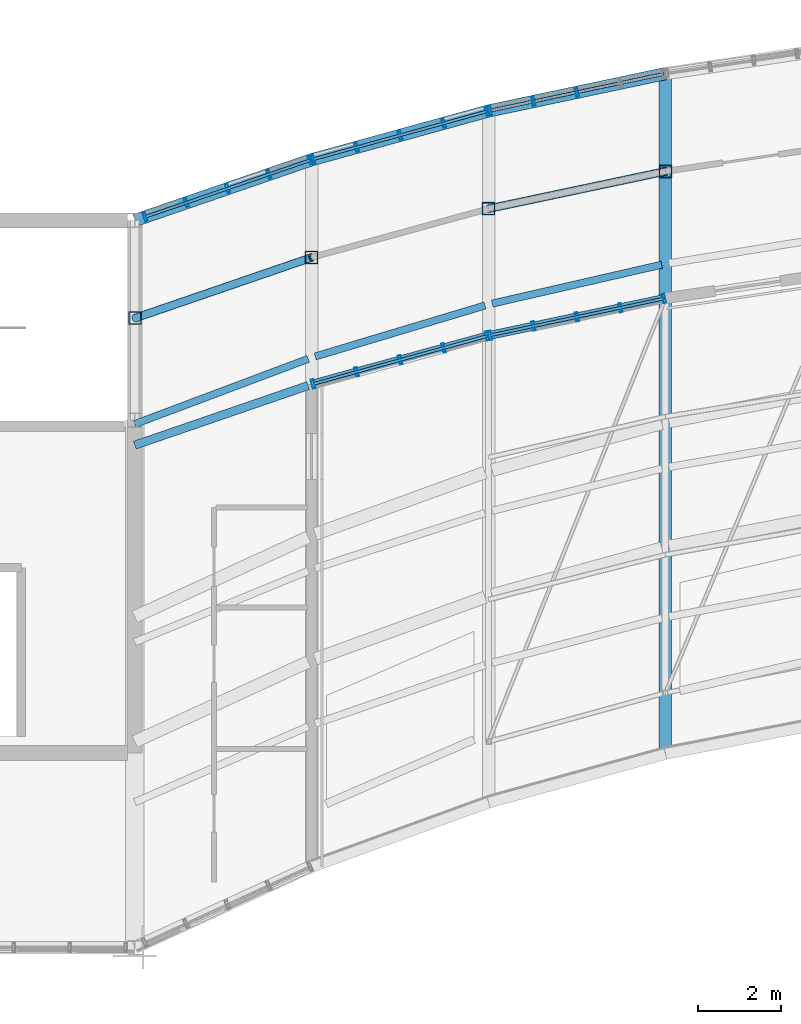
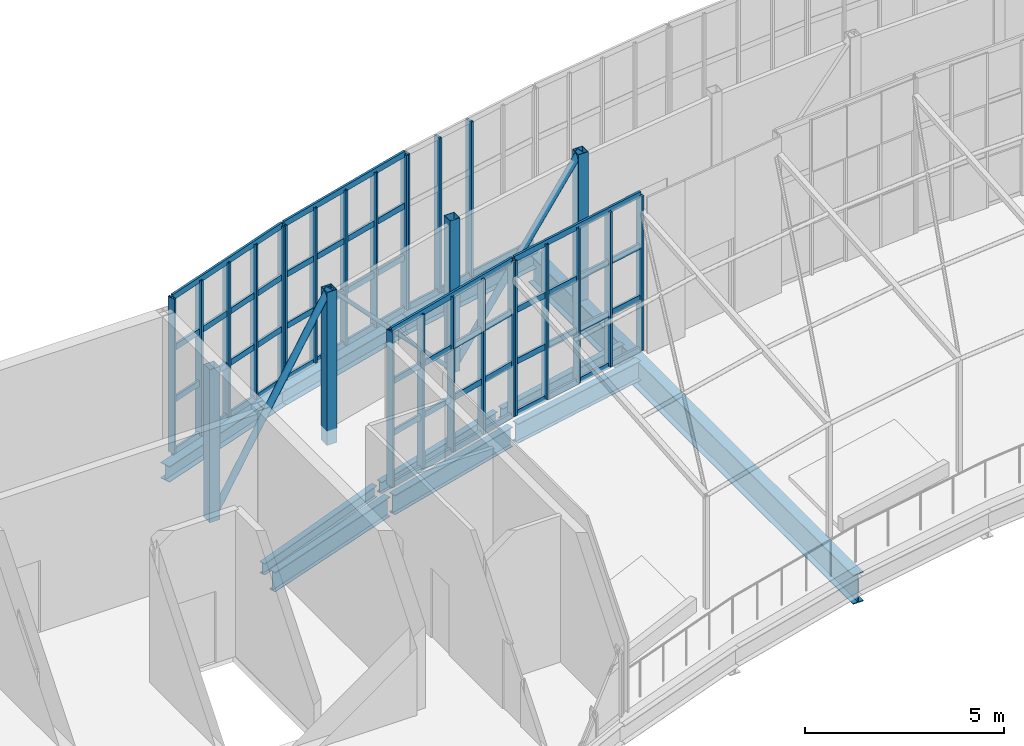
# One storey, part 13 of 35: 47 members, 10 beams, 5 elements without a shape of their own.
"""IFC4 building model written with IfcOpenShell, lengths in metres."""

from ifc_helpers import new_model, si_unit, direction, frame, origin, origin_2d, place, context, subcontext, project, spatial, hollow_rectangle, hollow_circle, i_section, extrude, material, material_profile, profile_set, type_object, element, aggregate, save


model = new_model("IFC4")

# Units and contexts
model_context = context("Model", 3, precision=1e-05, world=origin(), true_north=direction((0.0, 1.0)))
body_context = subcontext(model_context, "Body", "Model", "MODEL_VIEW")
ifc_project = project(units=[si_unit("LENGTHUNIT", "METRE"), si_unit("AREAUNIT", "SQUARE_METRE"), si_unit("VOLUMEUNIT", "CUBIC_METRE"), si_unit("PLANEANGLEUNIT", "RADIAN"), si_unit("MASSUNIT", "GRAM", prefix="KILO")], contexts=[model_context])

# Site, building, storey
site_placement = place(None, origin())
site = spatial("IfcSite", under=ifc_project, at=site_placement, CompositionType="ELEMENT")
building_placement = place(site_placement, origin())
building = spatial("IfcBuilding", under=site, at=building_placement, Name="Solvikara Media Centre", CompositionType="ELEMENT")
storey_placement = place(building_placement, frame((0.0, 0.0, 29.39990234375)))
storey = spatial("IfcBuildingStorey", under=building, at=storey_placement, Name="L06", CompositionType="ELEMENT", Elevation=29.39990234375)

# Beams
ifc_material_1 = material(Name="Steel S355JR", Category="steel")
ifc_material_profile_1 = material_profile(ifc_material_1, i_section(OverallWidth=0.300048828125, OverallDepth=0.89990234375, WebThickness=0.01611328125, FlangeThickness=0.028076171875, at=origin_2d()), Name="WF 900x300x16x28")
ifc_profile_set_1 = profile_set([ifc_material_profile_1], Name="Steel S355JR")
beam_type_1 = type_object("IfcBeamType", Name="BM-15", PredefinedType="BEAM", material=ifc_profile_set_1)
beam_1_placement = place(storey_placement, frame((89.25, 23.99609375, -0.721923828125), z_axis=(0.0, 1.0, 0.0), x_axis=(-1.0, 0.0, 0.0)))
element("IfcBeam", 1, at=beam_1_placement, inside=storey, type_object=beam_type_1, Name="BG-L06-NS-03", PredefinedType="BEAM", context=body_context, shape_type="SweptSolid", body=[
    extrude(i_section(OverallWidth=0.300048828125, OverallDepth=0.89990234375, WebThickness=0.01611328125, FlangeThickness=0.028076171875, at=origin_2d()), origin(), (0.0, 0.0, 1.0), 16.3330078125),
])
ifc_material_profile_2 = material_profile(ifc_material_1, i_section(OverallWidth=0.199951171875, OverallDepth=0.60009765625, WebThickness=0.010986328125, FlangeThickness=0.01708984375, at=origin_2d()), Name="WF 600x200x11x17")
ifc_profile_set_2 = profile_set([ifc_material_profile_2], Name="Steel S355JR")
beam_type_2 = type_object("IfcBeamType", Name="BM-18", PredefinedType="BEAM", material=ifc_profile_set_2)
beam_2_placement = place(storey_placement, frame((76.5, 31.39990234375, -0.52197265625), z_axis=(0.945727067042, 0.32496202034, 0.0), x_axis=(-0.32496202034, 0.945727067042, 0.0)))
element("IfcBeam", 2, at=beam_2_placement, inside=storey, type_object=beam_type_2, Name="BG-L06-GAL-01", PredefinedType="BEAM", context=body_context, shape_type="SweptSolid", body=[
    extrude(i_section(OverallWidth=0.199951171875, OverallDepth=0.60009765625, WebThickness=0.010986328125, FlangeThickness=0.01708984375, at=origin_2d()), origin(), (0.0, 0.0, 1.0), 4.404052734375),
])
beam_3_placement = place(storey_placement, frame((80.8369140625, 32.884033203125, -0.572021484375), z_axis=(0.964078321332, 0.265618128781, 0.0), x_axis=(-0.265618128781, 0.964078321332, 0.0)))
element("IfcBeam", 3, at=beam_3_placement, inside=storey, type_object=beam_type_2, Name="BG-L06-GAL-02", PredefinedType="BEAM", context=body_context, shape_type="SweptSolid", body=[
    extrude(i_section(OverallWidth=0.199951171875, OverallDepth=0.60009765625, WebThickness=0.010986328125, FlangeThickness=0.01708984375, at=origin_2d()), origin(), (0.0, 0.0, 1.0), 4.22802734375),
])
beam_4_placement = place(storey_placement, frame((85.087890625, 34.050048828125, -0.572021484375), z_axis=(0.978446395542, 0.206500971063, 0.0), x_axis=(-0.206500971063, 0.978446395542, 0.0)))
element("IfcBeam", 4, at=beam_4_placement, inside=storey, type_object=beam_type_2, Name="BG-L06-GAL-03", PredefinedType="BEAM", context=body_context, shape_type="SweptSolid", body=[
    extrude(i_section(OverallWidth=0.199951171875, OverallDepth=0.60009765625, WebThickness=0.010986328125, FlangeThickness=0.01708984375, at=origin_2d()), origin(), (0.0, 0.0, 1.0), 4.1640625),
])
ifc_material_profile_3 = material_profile(ifc_material_1, i_section(OverallWidth=0.175048828125, OverallDepth=0.35009765625, WebThickness=0.007080078125, FlangeThickness=0.010986328125, at=origin_2d()), Name="WF 350x175x7x11")
ifc_profile_set_3 = profile_set([ifc_material_profile_3], Name="Steel S355JR")
beam_type_3 = type_object("IfcBeamType", Name="BM-22", PredefinedType="JOIST", material=ifc_profile_set_3)
beam_5_placement = place(storey_placement, frame((76.5, 31.906982421875, -0.44482421875), z_axis=(0.936058378207, 0.351844727955, 0.0), x_axis=(-0.351844727955, 0.936058378207, 0.0)))
element("IfcBeam", 5, at=beam_5_placement, inside=storey, type_object=beam_type_3, Name="BJ-L06-00-72", PredefinedType="JOIST", context=body_context, shape_type="SweptSolid", body=[
    extrude(i_section(OverallWidth=0.175048828125, OverallDepth=0.35009765625, WebThickness=0.007080078125, FlangeThickness=0.010986328125, at=origin_2d()), origin(), (0.0, 0.0, 1.0), 4.45068359375),
])
beam_6_placement = place(storey_placement, frame((80.8359375, 33.531005859375, -0.44482421875), z_axis=(0.95779787385, 0.287442573133, 0.0), x_axis=(-0.287442573133, 0.95779787385, 0.0)))
element("IfcBeam", 6, at=beam_6_placement, inside=storey, type_object=beam_type_3, Name="BJ-L06-01-72", PredefinedType="JOIST", context=body_context, shape_type="SweptSolid", body=[
    extrude(i_section(OverallWidth=0.175048828125, OverallDepth=0.35009765625, WebThickness=0.007080078125, FlangeThickness=0.010986328125, at=origin_2d()), origin(), (0.0, 0.0, 1.0), 4.2578125),
])
beam_7_placement = place(storey_placement, frame((85.087890625, 34.801025390625, -0.44482421875), z_axis=(0.974660207056, 0.223690591624, 0.0), x_axis=(-0.223690591624, 0.974660207056, 0.0)))
element("IfcBeam", 7, at=beam_7_placement, inside=storey, type_object=beam_type_3, Name="BJ-L06-02-72", PredefinedType="JOIST", context=body_context, shape_type="SweptSolid", body=[
    extrude(i_section(OverallWidth=0.175048828125, OverallDepth=0.35009765625, WebThickness=0.007080078125, FlangeThickness=0.010986328125, at=origin_2d()), origin(), (0.0, 0.0, 1.0), 4.18017578125),
])
ifc_material_profile_4 = material_profile(ifc_material_1, i_section(OverallWidth=0.300048828125, OverallDepth=0.48193359375, WebThickness=0.010986328125, FlangeThickness=0.014892578125, at=origin_2d()), Name="WF 482x300x11x15")
ifc_profile_set_4 = profile_set([ifc_material_profile_4], Name="Steel S355JR")
beam_type_4 = type_object("IfcBeamType", Name="BM-32", PredefinedType="SPANDREL", material=ifc_profile_set_4)
beam_8_placement = place(storey_placement, frame((76.5, 36.800048828125, -0.462890625), z_axis=(0.945753386984, 0.324885412119, 0.0), x_axis=(-0.324885412119, 0.945753386984, 0.0)))
element("IfcBeam", 8, at=beam_8_placement, inside=storey, type_object=beam_type_4, Name="B-L06-NARC-00", PredefinedType="SPANDREL", context=body_context, shape_type="SweptSolid", body=[
    extrude(i_section(OverallWidth=0.300048828125, OverallDepth=0.48193359375, WebThickness=0.010986328125, FlangeThickness=0.014892578125, at=origin_2d()), origin(), (0.0, 0.0, 1.0), 4.49365234375),
])
beam_9_placement = place(storey_placement, frame((80.75, 38.260009765625, -0.462890625), z_axis=(0.964080686077, 0.265609545636, 0.0), x_axis=(-0.265609545636, 0.964080686077, 0.0)))
element("IfcBeam", 9, at=beam_9_placement, inside=storey, type_object=beam_type_4, Name="B-L06-NARC-01", PredefinedType="SPANDREL", context=body_context, shape_type="SweptSolid", body=[
    extrude(i_section(OverallWidth=0.300048828125, OverallDepth=0.48193359375, WebThickness=0.010986328125, FlangeThickness=0.014892578125, at=origin_2d()), origin(), (0.0, 0.0, 1.0), 4.408447265625),
])
beam_10_placement = place(storey_placement, frame((85.0, 39.430908203125, -0.462890625), z_axis=(0.978389077526, 0.206772369957, 0.0), x_axis=(-0.206772369957, 0.978389077526, 0.0)))
element("IfcBeam", 10, at=beam_10_placement, inside=storey, type_object=beam_type_4, Name="B-L06-NARC-02", PredefinedType="SPANDREL", context=body_context, shape_type="SweptSolid", body=[
    extrude(i_section(OverallWidth=0.300048828125, OverallDepth=0.48193359375, WebThickness=0.010986328125, FlangeThickness=0.014892578125, at=origin_2d()), origin(), (0.0, 0.0, 1.0), 4.343994140625),
])

# Members
ifc_material_profile_5 = material_profile(ifc_material_1, hollow_circle(Radius=0.096923828125, WallThickness=0.008056640625, at=origin_2d()), Name="CHS 193.7x8")
ifc_profile_set_5 = profile_set([ifc_material_profile_5], Name="Steel S355JR")
member_type_1 = type_object("IfcMemberType", Name="MB-06", PredefinedType="BRACE", material=ifc_profile_set_5)
member_1_placement = place(storey_placement, frame((76.5, 34.449951171875, -0.449951171875), z_axis=(0.653586882439, 0.224520310029, 0.722782690363), x_axis=(-0.324885412119, 0.945753386984, 0.0)))
element("IfcMember", 11, at=member_1_placement, inside=storey, type_object=member_type_1, Name="SKY-TR-M-DA00", PredefinedType="BRACE", context=body_context, shape_type="SweptSolid", body=[
    extrude(hollow_circle(Radius=0.096923828125, WallThickness=0.008056640625, at=origin_2d()), origin(), (0.0, 0.0, 1.0), 6.502685546875),
])
member_2_placement = place(storey_placement, frame((85.0, 37.0810546875, -0.449951171875), z_axis=(0.664075844739, 0.140307384935, 0.734382128164), x_axis=(-0.206718568569, 0.978400446345, 0.0)))
element("IfcMember", 12, at=member_2_placement, inside=storey, type_object=member_type_1, Name="SKY-TR-M-DA02", PredefinedType="BRACE", context=body_context, shape_type="SweptSolid", body=[
    extrude(hollow_circle(Radius=0.096923828125, WallThickness=0.008056640625, at=origin_2d()), origin(), (0.0, 0.0, 1.0), 6.39990234375),
])
ifc_material_profile_6 = material_profile(ifc_material_1, hollow_circle(Radius=0.05712890625, WallThickness=0.006103515625, at=origin_2d()), Name="CHS 114.3x6")
ifc_profile_set_6 = profile_set([ifc_material_profile_6], Name="Steel S355JR")
member_type_2 = type_object("IfcMemberType", Name="MB-09", PredefinedType="BRACE", material=ifc_profile_set_6)
member_3_placement = place(storey_placement, frame((80.75, 35.909912109375, 4.25), z_axis=(0.659540314802, 0.181744881095, -0.729366417754), x_axis=(-0.265661018897, 0.964066503431, 0.0)))
element("IfcMember", 13, at=member_3_placement, inside=storey, type_object=member_type_2, Name="SKY-TR-M-DB01", PredefinedType="BRACE", context=body_context, shape_type="SweptSolid", body=[
    extrude(hollow_circle(Radius=0.05712890625, WallThickness=0.006103515625, at=origin_2d()), origin(), (0.0, 0.0, 1.0), 6.44384765625),
])
ifc_material_profile_7 = material_profile(ifc_material_1, hollow_rectangle(XDim=0.300048828125, YDim=0.300048828125, WallThickness=0.012451171875, at=origin_2d()), Name="RHS 300x300x12.5")
ifc_profile_set_7 = profile_set([ifc_material_profile_7], Name="Steel S355JR")
member_type_3 = type_object("IfcMemberType", Name="MB-11", PredefinedType="CHORD", material=ifc_profile_set_7)
for number, where, z_axis, x_axis, name in (
    (14, (76.5, 34.449951171875, -0.449951171875), (0.0, 0.0, 1.0), (1.0, 0.0, 0.0), "SKY-TR-M-V00"),
    (15, (80.75, 35.909912109375, -0.449951171875), (0.0, 0.0, 1.0), (1.0, 0.0, 0.0), "SKY-TR-M-V01"),
    (16, (85.0, 37.0810546875, -0.449951171875), (0.0, 0.0, 1.0), (1.0, 0.0, 0.0), "SKY-TR-M-V02"),
    (17, (89.25, 37.97900390625, -0.449951171875), (0.0, 0.0, 1.0), (1.0, 0.0, 0.0), "SKY-TR-M-V03"),
):
    element("IfcMember", number, at=place(storey_placement, frame(where, z_axis=z_axis, x_axis=x_axis)), inside=storey, type_object=member_type_3, Name=name, PredefinedType="CHORD", context=body_context, shape_type="SweptSolid", body=[
        extrude(hollow_rectangle(XDim=0.300048828125, YDim=0.300048828125, WallThickness=0.012451171875, at=origin_2d()), origin(), (0.0, 0.0, 1.0), 4.699951171875),
    ])

# Curtain wall, members
ifc_material_2 = material(Name="Anodised aluminium EN AW-6063", Category="aluminium")
curtain_wall_type = type_object("IfcCurtainWallType", Name="CW-13", PredefinedType="NOTDEFINED", material=ifc_material_2)
curtain_wall_1_placement = place(storey_placement, origin())
curtain_wall_1 = element("IfcCurtainWall", 18, at=curtain_wall_1_placement, inside=storey, type_object=curtain_wall_type, Name="CW-L06-NARC-00", PredefinedType="NOTDEFINED")
ifc_material_profile_8 = material_profile(ifc_material_2, hollow_rectangle(XDim=0.06494140625, YDim=0.219970703125, WallThickness=0.00390625, at=origin_2d()), Name="ALU-M 65x220x4")
ifc_profile_set_8 = profile_set([ifc_material_profile_8], Name="Anodised aluminium EN AW-6063")
member_type_4 = type_object("IfcMemberType", Name="MF-01", PredefinedType="MULLION", material=ifc_profile_set_8)
member_4_placement = place(storey_placement, frame((76.748046875, 36.885009765625, 0.02001953125), z_axis=(0.0, 0.0, 1.0), x_axis=(0.945711605144, 0.32500701515, 0.0)))
member_4 = element("IfcMember", 19, at=member_4_placement, type_object=member_type_4, Name="CW-L06-NARC-00-M00", PredefinedType="MULLION", context=body_context, shape_type="SweptSolid", body=[
    extrude(hollow_rectangle(XDim=0.06494140625, YDim=0.219970703125, WallThickness=0.00390625, at=origin_2d()), origin(), (0.0, 0.0, 1.0), 4.760009765625),
])
member_5_placement = place(storey_placement, frame((77.739990234375, 37.22607421875, 0.02001953125), z_axis=(0.0, 0.0, 1.0), x_axis=(0.945711605144, 0.32500701515, 0.0)))
member_5 = element("IfcMember", 20, at=member_5_placement, type_object=member_type_4, Name="CW-L06-NARC-00-M01", PredefinedType="MULLION", context=body_context, shape_type="SweptSolid", body=[
    extrude(hollow_rectangle(XDim=0.06494140625, YDim=0.219970703125, WallThickness=0.00390625, at=origin_2d()), origin(), (0.0, 0.0, 1.0), 4.760009765625),
])
member_6_placement = place(storey_placement, frame((78.73193359375, 37.56689453125, 0.02001953125), z_axis=(0.0, 0.0, 1.0), x_axis=(0.945711605144, 0.32500701515, 0.0)))
member_6 = element("IfcMember", 21, at=member_6_placement, type_object=member_type_4, Name="CW-L06-NARC-00-M02", PredefinedType="MULLION", context=body_context, shape_type="SweptSolid", body=[
    extrude(hollow_rectangle(XDim=0.06494140625, YDim=0.219970703125, WallThickness=0.00390625, at=origin_2d()), origin(), (0.0, 0.0, 1.0), 4.760009765625),
])
member_7_placement = place(storey_placement, frame((79.72509765625, 37.907958984375, 0.02001953125), z_axis=(0.0, 0.0, 1.0), x_axis=(0.945711605144, 0.32500701515, 0.0)))
member_7 = element("IfcMember", 22, at=member_7_placement, type_object=member_type_4, Name="CW-L06-NARC-00-M03", PredefinedType="MULLION", context=body_context, shape_type="SweptSolid", body=[
    extrude(hollow_rectangle(XDim=0.06494140625, YDim=0.219970703125, WallThickness=0.00390625, at=origin_2d()), origin(), (0.0, 0.0, 1.0), 4.760009765625),
])
member_8_placement = place(storey_placement, frame((80.717041015625, 38.2490234375, 0.02001953125), z_axis=(0.0, 0.0, 1.0), x_axis=(0.945711605144, 0.32500701515, 0.0)))
member_8 = element("IfcMember", 23, at=member_8_placement, type_object=member_type_4, Name="CW-L06-NARC-00-M04", PredefinedType="MULLION", context=body_context, shape_type="SweptSolid", body=[
    extrude(hollow_rectangle(XDim=0.06494140625, YDim=0.219970703125, WallThickness=0.00390625, at=origin_2d()), origin(), (0.0, 0.0, 1.0), 4.760009765625),
])

curtain_wall_2_placement = place(storey_placement, origin())
curtain_wall_2 = element("IfcCurtainWall", 24, at=curtain_wall_2_placement, inside=storey, type_object=curtain_wall_type, Name="CW-L06-NARC-01", PredefinedType="NOTDEFINED")
member_9_placement = place(storey_placement, frame((80.783935546875, 38.26904296875, 0.02001953125), z_axis=(0.0, 0.0, 1.0), x_axis=(0.964030487854, 0.265791682504, 0.0)))
member_9 = element("IfcMember", 25, at=member_9_placement, type_object=member_type_4, Name="CW-L06-NARC-01-M00", PredefinedType="MULLION", context=body_context, shape_type="SweptSolid", body=[
    extrude(hollow_rectangle(XDim=0.06494140625, YDim=0.219970703125, WallThickness=0.00390625, at=origin_2d()), origin(), (0.0, 0.0, 1.0), 4.760009765625),
])
member_10_placement = place(storey_placement, frame((81.830078125, 38.556884765625, 0.02001953125), z_axis=(0.0, 0.0, 1.0), x_axis=(0.964030487854, 0.265791682504, 0.0)))
member_10 = element("IfcMember", 26, at=member_10_placement, type_object=member_type_4, Name="CW-L06-NARC-01-M01", PredefinedType="MULLION", context=body_context, shape_type="SweptSolid", body=[
    extrude(hollow_rectangle(XDim=0.06494140625, YDim=0.219970703125, WallThickness=0.00390625, at=origin_2d()), origin(), (0.0, 0.0, 1.0), 4.760009765625),
])
member_11_placement = place(storey_placement, frame((82.875, 38.844970703125, 0.02001953125), z_axis=(0.0, 0.0, 1.0), x_axis=(0.964030487854, 0.265791682504, 0.0)))
member_11 = element("IfcMember", 27, at=member_11_placement, type_object=member_type_4, Name="CW-L06-NARC-01-M02", PredefinedType="MULLION", context=body_context, shape_type="SweptSolid", body=[
    extrude(hollow_rectangle(XDim=0.06494140625, YDim=0.219970703125, WallThickness=0.00390625, at=origin_2d()), origin(), (0.0, 0.0, 1.0), 4.760009765625),
])
member_12_placement = place(storey_placement, frame((83.9208984375, 39.134033203125, 0.02001953125), z_axis=(0.0, 0.0, 1.0), x_axis=(0.964030487854, 0.265791682504, 0.0)))
member_12 = element("IfcMember", 28, at=member_12_placement, type_object=member_type_4, Name="CW-L06-NARC-01-M03", PredefinedType="MULLION", context=body_context, shape_type="SweptSolid", body=[
    extrude(hollow_rectangle(XDim=0.06494140625, YDim=0.219970703125, WallThickness=0.00390625, at=origin_2d()), origin(), (0.0, 0.0, 1.0), 4.760009765625),
])
member_13_placement = place(storey_placement, frame((84.966064453125, 39.422119140625, 0.02001953125), z_axis=(0.0, 0.0, 1.0), x_axis=(0.964030487854, 0.265791682504, 0.0)))
member_13 = element("IfcMember", 29, at=member_13_placement, type_object=member_type_4, Name="CW-L06-NARC-01-M04", PredefinedType="MULLION", context=body_context, shape_type="SweptSolid", body=[
    extrude(hollow_rectangle(XDim=0.06494140625, YDim=0.219970703125, WallThickness=0.00390625, at=origin_2d()), origin(), (0.0, 0.0, 1.0), 4.760009765625),
])

curtain_wall_3_placement = place(storey_placement, origin())
curtain_wall_3 = element("IfcCurtainWall", 30, at=curtain_wall_3_placement, inside=storey, type_object=curtain_wall_type, Name="CW-L06-NARC-02", PredefinedType="NOTDEFINED")
member_14_placement = place(storey_placement, frame((85.033935546875, 39.43798828125, 0.02001953125), z_axis=(0.0, 0.0, 1.0), x_axis=(0.97837923005, 0.206818959981, 0.0)))
member_14 = element("IfcMember", 31, at=member_14_placement, type_object=member_type_4, Name="CW-L06-NARC-02-M00", PredefinedType="MULLION", context=body_context, shape_type="SweptSolid", body=[
    extrude(hollow_rectangle(XDim=0.06494140625, YDim=0.219970703125, WallThickness=0.00390625, at=origin_2d()), origin(), (0.0, 0.0, 1.0), 4.760009765625),
])
member_15_placement = place(storey_placement, frame((86.080078125, 39.658935546875, 0.02001953125), z_axis=(0.0, 0.0, 1.0), x_axis=(0.97837923005, 0.206818959981, 0.0)))
member_15 = element("IfcMember", 32, at=member_15_placement, type_object=member_type_4, Name="CW-L06-NARC-02-M01", PredefinedType="MULLION", context=body_context, shape_type="SweptSolid", body=[
    extrude(hollow_rectangle(XDim=0.06494140625, YDim=0.219970703125, WallThickness=0.00390625, at=origin_2d()), origin(), (0.0, 0.0, 1.0), 4.760009765625),
])
member_16_placement = place(storey_placement, frame((87.125, 39.8798828125, 0.02001953125), z_axis=(0.0, 0.0, 1.0), x_axis=(0.97837923005, 0.206818959981, 0.0)))
member_16 = element("IfcMember", 33, at=member_16_placement, type_object=member_type_4, Name="CW-L06-NARC-02-M02", PredefinedType="MULLION", context=body_context, shape_type="SweptSolid", body=[
    extrude(hollow_rectangle(XDim=0.06494140625, YDim=0.219970703125, WallThickness=0.00390625, at=origin_2d()), origin(), (0.0, 0.0, 1.0), 4.760009765625),
])

curtain_wall_4_placement = place(storey_placement, origin())
curtain_wall_4 = element("IfcCurtainWall", 34, at=curtain_wall_4_placement, inside=storey, type_object=curtain_wall_type, Name="CW-L06-GALS-01", PredefinedType="NOTDEFINED")
member_17_placement = place(storey_placement, frame((80.783935546875, 32.868896484375, 0.02001953125), z_axis=(0.0, 0.0, 1.0), x_axis=(0.964030487854, 0.265791682504, 0.0)))
member_17 = element("IfcMember", 35, at=member_17_placement, type_object=member_type_4, Name="CW-L06-GALS-01-M00", PredefinedType="MULLION", context=body_context, shape_type="SweptSolid", body=[
    extrude(hollow_rectangle(XDim=0.06494140625, YDim=0.219970703125, WallThickness=0.00390625, at=origin_2d()), origin(), (0.0, 0.0, 1.0), 4.760009765625),
])
member_18_placement = place(storey_placement, frame((81.830078125, 33.156982421875, 0.02001953125), z_axis=(0.0, 0.0, 1.0), x_axis=(0.964030487854, 0.265791682504, 0.0)))
member_18 = element("IfcMember", 36, at=member_18_placement, type_object=member_type_4, Name="CW-L06-GALS-01-M01", PredefinedType="MULLION", context=body_context, shape_type="SweptSolid", body=[
    extrude(hollow_rectangle(XDim=0.06494140625, YDim=0.219970703125, WallThickness=0.00390625, at=origin_2d()), origin(), (0.0, 0.0, 1.0), 4.760009765625),
])
member_19_placement = place(storey_placement, frame((82.875, 33.445068359375, 0.02001953125), z_axis=(0.0, 0.0, 1.0), x_axis=(0.964030487854, 0.265791682504, 0.0)))
member_19 = element("IfcMember", 37, at=member_19_placement, type_object=member_type_4, Name="CW-L06-GALS-01-M02", PredefinedType="MULLION", context=body_context, shape_type="SweptSolid", body=[
    extrude(hollow_rectangle(XDim=0.06494140625, YDim=0.219970703125, WallThickness=0.00390625, at=origin_2d()), origin(), (0.0, 0.0, 1.0), 4.760009765625),
])
member_20_placement = place(storey_placement, frame((83.9208984375, 33.73388671875, 0.02001953125), z_axis=(0.0, 0.0, 1.0), x_axis=(0.964030487854, 0.265791682504, 0.0)))
member_20 = element("IfcMember", 38, at=member_20_placement, type_object=member_type_4, Name="CW-L06-GALS-01-M03", PredefinedType="MULLION", context=body_context, shape_type="SweptSolid", body=[
    extrude(hollow_rectangle(XDim=0.06494140625, YDim=0.219970703125, WallThickness=0.00390625, at=origin_2d()), origin(), (0.0, 0.0, 1.0), 4.760009765625),
])
member_21_placement = place(storey_placement, frame((84.966064453125, 34.02197265625, 0.02001953125), z_axis=(0.0, 0.0, 1.0), x_axis=(0.964030487854, 0.265791682504, 0.0)))
member_21 = element("IfcMember", 39, at=member_21_placement, type_object=member_type_4, Name="CW-L06-GALS-01-M04", PredefinedType="MULLION", context=body_context, shape_type="SweptSolid", body=[
    extrude(hollow_rectangle(XDim=0.06494140625, YDim=0.219970703125, WallThickness=0.00390625, at=origin_2d()), origin(), (0.0, 0.0, 1.0), 4.760009765625),
])

curtain_wall_5_placement = place(storey_placement, origin())
curtain_wall_5 = element("IfcCurtainWall", 40, at=curtain_wall_5_placement, inside=storey, type_object=curtain_wall_type, Name="CW-L06-GALS-02", PredefinedType="NOTDEFINED")
member_22_placement = place(storey_placement, frame((85.033935546875, 34.0380859375, 0.02001953125), z_axis=(0.0, 0.0, 1.0), x_axis=(0.97837923005, 0.206818959981, 0.0)))
member_22 = element("IfcMember", 41, at=member_22_placement, type_object=member_type_4, Name="CW-L06-GALS-02-M00", PredefinedType="MULLION", context=body_context, shape_type="SweptSolid", body=[
    extrude(hollow_rectangle(XDim=0.06494140625, YDim=0.219970703125, WallThickness=0.00390625, at=origin_2d()), origin(), (0.0, 0.0, 1.0), 4.760009765625),
])
member_23_placement = place(storey_placement, frame((86.080078125, 34.259033203125, 0.02001953125), z_axis=(0.0, 0.0, 1.0), x_axis=(0.97837923005, 0.206818959981, 0.0)))
member_23 = element("IfcMember", 42, at=member_23_placement, type_object=member_type_4, Name="CW-L06-GALS-02-M01", PredefinedType="MULLION", context=body_context, shape_type="SweptSolid", body=[
    extrude(hollow_rectangle(XDim=0.06494140625, YDim=0.219970703125, WallThickness=0.00390625, at=origin_2d()), origin(), (0.0, 0.0, 1.0), 4.760009765625),
])
member_24_placement = place(storey_placement, frame((87.125, 34.47998046875, 0.02001953125), z_axis=(0.0, 0.0, 1.0), x_axis=(0.97837923005, 0.206818959981, 0.0)))
member_24 = element("IfcMember", 43, at=member_24_placement, type_object=member_type_4, Name="CW-L06-GALS-02-M02", PredefinedType="MULLION", context=body_context, shape_type="SweptSolid", body=[
    extrude(hollow_rectangle(XDim=0.06494140625, YDim=0.219970703125, WallThickness=0.00390625, at=origin_2d()), origin(), (0.0, 0.0, 1.0), 4.760009765625),
])
member_25_placement = place(storey_placement, frame((88.1708984375, 34.700927734375, 0.02001953125), z_axis=(0.0, 0.0, 1.0), x_axis=(0.97837923005, 0.206818959981, 0.0)))
member_25 = element("IfcMember", 44, at=member_25_placement, type_object=member_type_4, Name="CW-L06-GALS-02-M03", PredefinedType="MULLION", context=body_context, shape_type="SweptSolid", body=[
    extrude(hollow_rectangle(XDim=0.06494140625, YDim=0.219970703125, WallThickness=0.00390625, at=origin_2d()), origin(), (0.0, 0.0, 1.0), 4.760009765625),
])
member_26_placement = place(storey_placement, frame((89.216064453125, 34.922119140625, 0.02001953125), z_axis=(0.0, 0.0, 1.0), x_axis=(0.97837923005, 0.206818959981, 0.0)))
member_26 = element("IfcMember", 45, at=member_26_placement, type_object=member_type_4, Name="CW-L06-GALS-02-M04", PredefinedType="MULLION", context=body_context, shape_type="SweptSolid", body=[
    extrude(hollow_rectangle(XDim=0.06494140625, YDim=0.219970703125, WallThickness=0.00390625, at=origin_2d()), origin(), (0.0, 0.0, 1.0), 4.760009765625),
])

# Member
ifc_material_profile_9 = material_profile(ifc_material_2, hollow_rectangle(XDim=0.06494140625, YDim=0.179931640625, WallThickness=0.00341796875, at=origin_2d()), Name="ALU-T 65x180x3.5")
ifc_profile_set_9 = profile_set([ifc_material_profile_9], Name="Anodised aluminium EN AW-6063")
member_type_5 = type_object("IfcMemberType", Name="MF-07", PredefinedType="USERDEFINED", material=ifc_profile_set_9)
member_27_placement = place(storey_placement, frame((76.748046875, 36.885009765625, 0.02001953125), z_axis=(0.945710627814, 0.32500985899, 0.0), x_axis=(-0.32500985899, 0.945710627814, 0.0)))
member_27 = element("IfcMember", 46, at=member_27_placement, type_object=member_type_5, Name="CW-L06-NARC-00-T00", ObjectType="TRANSOM", PredefinedType="USERDEFINED", context=body_context, shape_type="SweptSolid", body=[
    extrude(hollow_rectangle(XDim=0.06494140625, YDim=0.179931640625, WallThickness=0.00341796875, at=origin_2d()), origin(), (0.0, 0.0, 1.0), 4.19677734375),
])

member_28_placement = place(storey_placement, frame((76.748046875, 36.885009765625, 1.607177734375), z_axis=(0.945710627814, 0.32500985899, 0.0), x_axis=(-0.32500985899, 0.945710627814, 0.0)))
member_28 = element("IfcMember", 47, at=member_28_placement, type_object=member_type_5, Name="CW-L06-NARC-00-T01", ObjectType="TRANSOM", PredefinedType="USERDEFINED", context=body_context, shape_type="SweptSolid", body=[
    extrude(hollow_rectangle(XDim=0.06494140625, YDim=0.179931640625, WallThickness=0.00341796875, at=origin_2d()), origin(), (0.0, 0.0, 1.0), 4.19677734375),
])

member_29_placement = place(storey_placement, frame((76.748046875, 36.885009765625, 3.193115234375), z_axis=(0.945710627814, 0.32500985899, 0.0), x_axis=(-0.32500985899, 0.945710627814, 0.0)))
member_29 = element("IfcMember", 48, at=member_29_placement, type_object=member_type_5, Name="CW-L06-NARC-00-T02", ObjectType="TRANSOM", PredefinedType="USERDEFINED", context=body_context, shape_type="SweptSolid", body=[
    extrude(hollow_rectangle(XDim=0.06494140625, YDim=0.179931640625, WallThickness=0.00341796875, at=origin_2d()), origin(), (0.0, 0.0, 1.0), 4.19677734375),
])

member_30_placement = place(storey_placement, frame((76.748046875, 36.885009765625, 4.780029296875), z_axis=(0.945710627814, 0.32500985899, 0.0), x_axis=(-0.32500985899, 0.945710627814, 0.0)))
member_30 = element("IfcMember", 49, at=member_30_placement, type_object=member_type_5, Name="CW-L06-NARC-00-T03", ObjectType="TRANSOM", PredefinedType="USERDEFINED", context=body_context, shape_type="SweptSolid", body=[
    extrude(hollow_rectangle(XDim=0.06494140625, YDim=0.179931640625, WallThickness=0.00341796875, at=origin_2d()), origin(), (0.0, 0.0, 1.0), 4.19677734375),
])

aggregate(curtain_wall_1, [member_4, member_5, member_6, member_7, member_8, member_27, member_28, member_29, member_30])

member_31_placement = place(storey_placement, frame((80.783935546875, 38.26904296875, 0.02001953125), z_axis=(0.96402892513, 0.265797350461, 0.0), x_axis=(-0.265797350461, 0.96402892513, 0.0)))
member_31 = element("IfcMember", 50, at=member_31_placement, type_object=member_type_5, Name="CW-L06-NARC-01-T00", ObjectType="TRANSOM", PredefinedType="USERDEFINED", context=body_context, shape_type="SweptSolid", body=[
    extrude(hollow_rectangle(XDim=0.06494140625, YDim=0.179931640625, WallThickness=0.00341796875, at=origin_2d()), origin(), (0.0, 0.0, 1.0), 4.338134765625),
])

member_32_placement = place(storey_placement, frame((80.783935546875, 38.26904296875, 1.607177734375), z_axis=(0.96402892513, 0.265797350461, 0.0), x_axis=(-0.265797350461, 0.96402892513, 0.0)))
member_32 = element("IfcMember", 51, at=member_32_placement, type_object=member_type_5, Name="CW-L06-NARC-01-T01", ObjectType="TRANSOM", PredefinedType="USERDEFINED", context=body_context, shape_type="SweptSolid", body=[
    extrude(hollow_rectangle(XDim=0.06494140625, YDim=0.179931640625, WallThickness=0.00341796875, at=origin_2d()), origin(), (0.0, 0.0, 1.0), 4.338134765625),
])

member_33_placement = place(storey_placement, frame((80.783935546875, 38.26904296875, 3.193115234375), z_axis=(0.96402892513, 0.265797350461, 0.0), x_axis=(-0.265797350461, 0.96402892513, 0.0)))
member_33 = element("IfcMember", 52, at=member_33_placement, type_object=member_type_5, Name="CW-L06-NARC-01-T02", ObjectType="TRANSOM", PredefinedType="USERDEFINED", context=body_context, shape_type="SweptSolid", body=[
    extrude(hollow_rectangle(XDim=0.06494140625, YDim=0.179931640625, WallThickness=0.00341796875, at=origin_2d()), origin(), (0.0, 0.0, 1.0), 4.338134765625),
])

member_34_placement = place(storey_placement, frame((80.783935546875, 38.26904296875, 4.780029296875), z_axis=(0.96402892513, 0.265797350461, 0.0), x_axis=(-0.265797350461, 0.96402892513, 0.0)))
member_34 = element("IfcMember", 53, at=member_34_placement, type_object=member_type_5, Name="CW-L06-NARC-01-T03", ObjectType="TRANSOM", PredefinedType="USERDEFINED", context=body_context, shape_type="SweptSolid", body=[
    extrude(hollow_rectangle(XDim=0.06494140625, YDim=0.179931640625, WallThickness=0.00341796875, at=origin_2d()), origin(), (0.0, 0.0, 1.0), 4.338134765625),
])

aggregate(curtain_wall_2, [member_9, member_10, member_11, member_12, member_13, member_31, member_32, member_33, member_34])

member_35_placement = place(storey_placement, frame((85.033935546875, 39.43798828125, 0.02001953125), z_axis=(0.978380382842, 0.206813506496, 0.0), x_axis=(-0.206813506496, 0.978380382842, 0.0)))
member_35 = element("IfcMember", 54, at=member_35_placement, type_object=member_type_5, Name="CW-L06-NARC-02-T00", ObjectType="TRANSOM", PredefinedType="USERDEFINED", context=body_context, shape_type="SweptSolid", body=[
    extrude(hollow_rectangle(XDim=0.06494140625, YDim=0.179931640625, WallThickness=0.00341796875, at=origin_2d()), origin(), (0.0, 0.0, 1.0), 4.274658203125),
])

aggregate(curtain_wall_3, [member_14, member_15, member_16, member_35])

member_36_placement = place(storey_placement, frame((80.783935546875, 32.868896484375, 0.02001953125), z_axis=(0.96402892513, 0.265797350461, 0.0), x_axis=(-0.265797350461, 0.96402892513, 0.0)))
member_36 = element("IfcMember", 55, at=member_36_placement, type_object=member_type_5, Name="CW-L06-GALS-01-T00", ObjectType="TRANSOM", PredefinedType="USERDEFINED", context=body_context, shape_type="SweptSolid", body=[
    extrude(hollow_rectangle(XDim=0.06494140625, YDim=0.179931640625, WallThickness=0.00341796875, at=origin_2d()), origin(), (0.0, 0.0, 1.0), 4.338134765625),
])

member_37_placement = place(storey_placement, frame((80.783935546875, 32.868896484375, 1.607177734375), z_axis=(0.96402892513, 0.265797350461, 0.0), x_axis=(-0.265797350461, 0.96402892513, 0.0)))
member_37 = element("IfcMember", 56, at=member_37_placement, type_object=member_type_5, Name="CW-L06-GALS-01-T01", ObjectType="TRANSOM", PredefinedType="USERDEFINED", context=body_context, shape_type="SweptSolid", body=[
    extrude(hollow_rectangle(XDim=0.06494140625, YDim=0.179931640625, WallThickness=0.00341796875, at=origin_2d()), origin(), (0.0, 0.0, 1.0), 4.338134765625),
])

member_38_placement = place(storey_placement, frame((80.783935546875, 32.868896484375, 3.193115234375), z_axis=(0.96402892513, 0.265797350461, 0.0), x_axis=(-0.265797350461, 0.96402892513, 0.0)))
member_38 = element("IfcMember", 57, at=member_38_placement, type_object=member_type_5, Name="CW-L06-GALS-01-T02", ObjectType="TRANSOM", PredefinedType="USERDEFINED", context=body_context, shape_type="SweptSolid", body=[
    extrude(hollow_rectangle(XDim=0.06494140625, YDim=0.179931640625, WallThickness=0.00341796875, at=origin_2d()), origin(), (0.0, 0.0, 1.0), 4.338134765625),
])

member_39_placement = place(storey_placement, frame((80.783935546875, 32.868896484375, 4.780029296875), z_axis=(0.96402892513, 0.265797350461, 0.0), x_axis=(-0.265797350461, 0.96402892513, 0.0)))
member_39 = element("IfcMember", 58, at=member_39_placement, type_object=member_type_5, Name="CW-L06-GALS-01-T03", ObjectType="TRANSOM", PredefinedType="USERDEFINED", context=body_context, shape_type="SweptSolid", body=[
    extrude(hollow_rectangle(XDim=0.06494140625, YDim=0.179931640625, WallThickness=0.00341796875, at=origin_2d()), origin(), (0.0, 0.0, 1.0), 4.338134765625),
])

aggregate(curtain_wall_4, [member_17, member_18, member_19, member_20, member_21, member_36, member_37, member_38, member_39])

member_40_placement = place(storey_placement, frame((85.033935546875, 34.0380859375, 0.02001953125), z_axis=(0.978380382842, 0.206813506496, 0.0), x_axis=(-0.206813506496, 0.978380382842, 0.0)))
member_40 = element("IfcMember", 59, at=member_40_placement, type_object=member_type_5, Name="CW-L06-GALS-02-T00", ObjectType="TRANSOM", PredefinedType="USERDEFINED", context=body_context, shape_type="SweptSolid", body=[
    extrude(hollow_rectangle(XDim=0.06494140625, YDim=0.179931640625, WallThickness=0.00341796875, at=origin_2d()), origin(), (0.0, 0.0, 1.0), 4.274658203125),
])

member_41_placement = place(storey_placement, frame((85.033935546875, 34.0380859375, 1.607177734375), z_axis=(0.978380382842, 0.206813506496, 0.0), x_axis=(-0.206813506496, 0.978380382842, 0.0)))
member_41 = element("IfcMember", 60, at=member_41_placement, type_object=member_type_5, Name="CW-L06-GALS-02-T01", ObjectType="TRANSOM", PredefinedType="USERDEFINED", context=body_context, shape_type="SweptSolid", body=[
    extrude(hollow_rectangle(XDim=0.06494140625, YDim=0.179931640625, WallThickness=0.00341796875, at=origin_2d()), origin(), (0.0, 0.0, 1.0), 4.274658203125),
])

member_42_placement = place(storey_placement, frame((85.033935546875, 34.0380859375, 3.193115234375), z_axis=(0.978380382842, 0.206813506496, 0.0), x_axis=(-0.206813506496, 0.978380382842, 0.0)))
member_42 = element("IfcMember", 61, at=member_42_placement, type_object=member_type_5, Name="CW-L06-GALS-02-T02", ObjectType="TRANSOM", PredefinedType="USERDEFINED", context=body_context, shape_type="SweptSolid", body=[
    extrude(hollow_rectangle(XDim=0.06494140625, YDim=0.179931640625, WallThickness=0.00341796875, at=origin_2d()), origin(), (0.0, 0.0, 1.0), 4.274658203125),
])

member_43_placement = place(storey_placement, frame((85.033935546875, 34.0380859375, 4.780029296875), z_axis=(0.978380382842, 0.206813506496, 0.0), x_axis=(-0.206813506496, 0.978380382842, 0.0)))
member_43 = element("IfcMember", 62, at=member_43_placement, type_object=member_type_5, Name="CW-L06-GALS-02-T03", ObjectType="TRANSOM", PredefinedType="USERDEFINED", context=body_context, shape_type="SweptSolid", body=[
    extrude(hollow_rectangle(XDim=0.06494140625, YDim=0.179931640625, WallThickness=0.00341796875, at=origin_2d()), origin(), (0.0, 0.0, 1.0), 4.274658203125),
])

aggregate(curtain_wall_5, [member_22, member_23, member_24, member_25, member_26, member_40, member_41, member_42, member_43])

save(model, "model.ifc")
